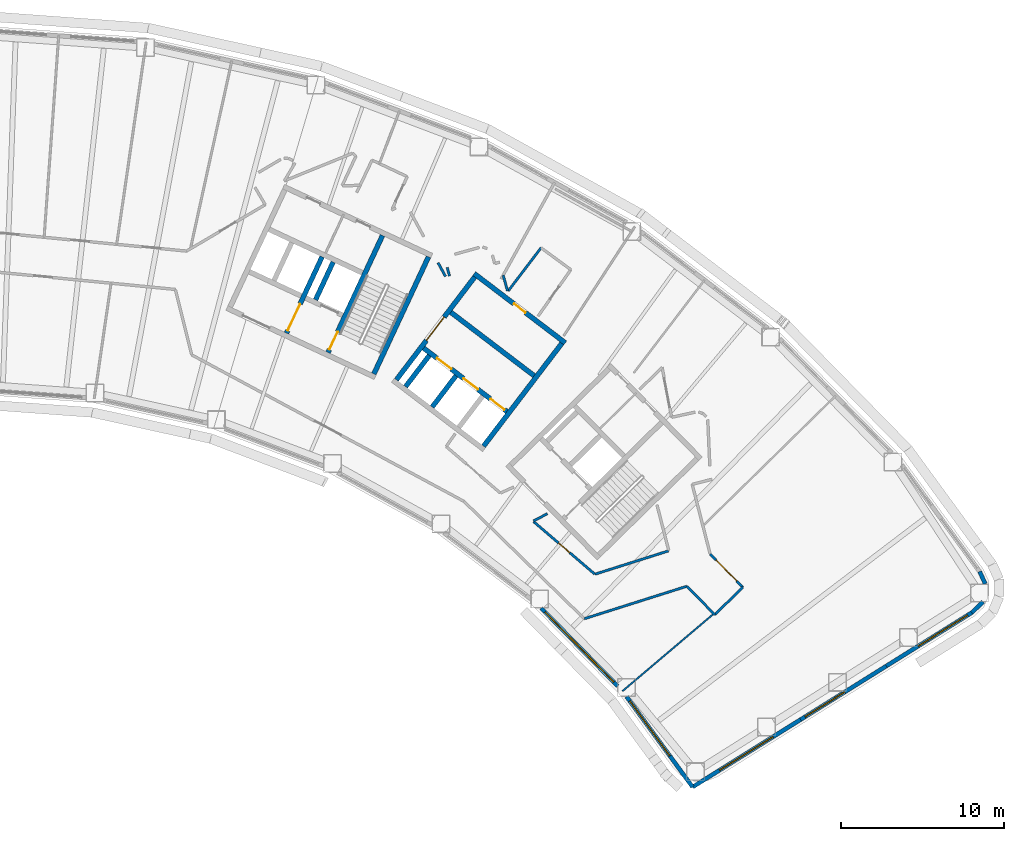
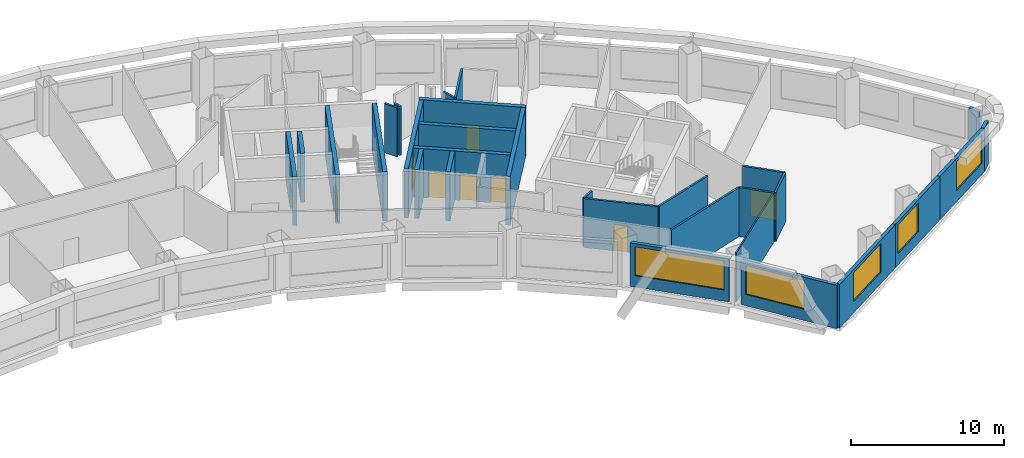
# One storey, part 6 of 11: 30 walls, 9 doors, 5 windows, 14 openings.
"""IFC4 building model written with IfcOpenShell, lengths in metres."""

from ifc_helpers import new_model, si_unit, direction, frame, frame_2d, origin, place, context, subcontext, project, spatial, rectangle, extrude, material, layer, layer_set, type_object, element, fill, save


model = new_model("IFC4")

# Units and contexts
model_context = context("Model", 3, precision=1e-05, world=origin(), true_north=direction((0.0, 1.0)))
body_context = subcontext(model_context, "Body", "Model", "MODEL_VIEW")
ifc_project = project(units=[si_unit("LENGTHUNIT", "METRE"), si_unit("AREAUNIT", "SQUARE_METRE"), si_unit("VOLUMEUNIT", "CUBIC_METRE"), si_unit("PLANEANGLEUNIT", "RADIAN"), si_unit("MASSUNIT", "GRAM", prefix="KILO")], contexts=[model_context])

# Site, building, storey
site_placement = place(None, origin())
site = spatial("IfcSite", under=ifc_project, at=site_placement, CompositionType="ELEMENT")
building_placement = place(site_placement, origin())
building = spatial("IfcBuilding", under=site, at=building_placement, Name="Tuul Gate Civic Tower", CompositionType="ELEMENT")
storey_placement = place(building_placement, frame((0.0, 0.0, 120.300048828125)))
storey = spatial("IfcBuildingStorey", under=building, at=storey_placement, Name="Level 27", CompositionType="ELEMENT", Elevation=120.300048828125)

# Wall
ifc_material_1 = material(Name="Concrete C50/60", Category="concrete")
ifc_layer_1 = layer(ifc_material_1, 0.300048828125)
ifc_layer_set_1 = layer_set([ifc_layer_1], Name="Concrete C50/60")
wall_type_1 = type_object("IfcWallType", Name="Core wall C50/60", PredefinedType="SHEAR", material=ifc_layer_set_1)
wall_1_placement = place(storey_placement, frame((34.455810546875, -7.05078125, 0.0), z_axis=(0.0, 0.0, 1.0), x_axis=(0.422570768258, 0.906329932096, 0.0)))
element("IfcWall", 1, at=wall_1_placement, inside=storey, type_object=wall_type_1, Name="Core wall", PredefinedType="SHEAR", context=body_context, shape_type="SweptSolid", body=[
    extrude(rectangle(XDim=7.900146484375, YDim=0.300048828125, at=frame_2d((3.9501953125, 0.0))), origin(), (0.0, 0.0, 1.0), 3.89990234375),
])

# Wall, opening, door
wall_2_placement = place(storey_placement, frame((31.646240234375, -5.740478515625, 0.0), z_axis=(0.0, 0.0, 1.0), x_axis=(0.422582604137, 0.906324413596, 0.0)))
wall_2 = element("IfcWall", 2, at=wall_2_placement, inside=storey, type_object=wall_type_1, Name="Core wall", PredefinedType="SHEAR", context=body_context, shape_type="SweptSolid", body=[
    extrude(rectangle(XDim=7.89990234375, YDim=0.300048828125, at=frame_2d((3.949951171875, 0.0))), origin(), (0.0, 0.0, 1.0), 3.89990234375),
])
opening_1_placement = place(wall_2_placement, frame((0.199951171875, 0.0, 0.0)))
opening_1 = element("IfcOpeningElement", 3, at=opening_1_placement, cuts=wall_2, Name="Opening SD-ST-4", PredefinedType="OPENING", context=body_context, shape_type="SweptSolid", body=[
    extrude(rectangle(XDim=1.199951171875, YDim=2.10009765625, at=frame_2d((0.60009765625, 1.050048828125))), frame((0.0, 0.16015625, 0.0), z_axis=(0.0, -1.0, 0.0), x_axis=(1.0, 0.0, 0.0)), (0.0, 0.0, 1.0), 0.320068359375),
])
ifc_material_2 = material(Name="Steel", Category="steel")
door_type_1 = type_object("IfcDoorType", Name="Stair door", OperationType="NOTDEFINED", PredefinedType="DOOR", material=ifc_material_2)
door_1_placement = place(opening_1_placement, origin())
door_1 = element("IfcDoor", 4, at=door_1_placement, inside=storey, type_object=door_type_1, Name="Stair door ST-4", OperationType="SINGLE_SWING_LEFT", OverallHeight=2.10009765625, OverallWidth=1.199951171875, PredefinedType="DOOR", context=body_context, shape_type="SweptSolid", body=[
    extrude(rectangle(XDim=1.199951171875, YDim=2.10009765625, at=frame_2d((0.60009765625, 1.050048828125))), frame((0.0, 0.02490234375, 0.0), z_axis=(0.0, -1.0, 0.0), x_axis=(1.0, 0.0, 0.0)), (0.0, 0.0, 1.0), 0.050048828125),
])
fill(opening_1, door_1)

# Wall
wall_3_placement = place(storey_placement, frame((30.886962890625, -2.517822265625, 0.0), z_axis=(0.0, 0.0, 1.0), x_axis=(0.422612891016, 0.906310291427, 0.0)))
element("IfcWall", 5, at=wall_3_placement, inside=storey, type_object=wall_type_1, Name="Core wall", PredefinedType="SHEAR", context=body_context, shape_type="SweptSolid", body=[
    extrude(rectangle(XDim=2.550048828125, YDim=0.300048828125, at=frame_2d((1.27490234375, 0.0))), origin(), (0.0, 0.0, 1.0), 3.89990234375),
])

# Wall, opening, door
wall_4_placement = place(storey_placement, frame((29.108642578125, -4.557373046875, 0.0), z_axis=(0.0, 0.0, 1.0), x_axis=(0.422566235356, 0.90633204552, 0.0)))
wall_4 = element("IfcWall", 6, at=wall_4_placement, inside=storey, type_object=wall_type_1, Name="Core wall", PredefinedType="SHEAR", context=body_context, shape_type="SweptSolid", body=[
    extrude(rectangle(XDim=5.150146484375, YDim=0.300048828125, at=frame_2d((2.5751953125, 0.0))), origin(), (0.0, 0.0, 1.0), 3.89990234375),
])
opening_2_placement = place(wall_4_placement, frame((0.175048828125, 0.0, 0.0)))
opening_2 = element("IfcOpeningElement", 7, at=opening_2_placement, cuts=wall_4, Name="Opening LB-E3-FLOBBY-1", PredefinedType="OPENING", context=body_context, shape_type="SweptSolid", body=[
    extrude(rectangle(XDim=1.800048828125, YDim=2.10009765625, at=frame_2d((0.89990234375, 1.050048828125))), frame((0.0, 0.16015625, 0.0), z_axis=(0.0, -1.0, 0.0), x_axis=(1.0, 0.0, 0.0)), (0.0, 0.0, 1.0), 0.320068359375),
])
ifc_material_3 = material(Name="Steel", Category="steel")
door_type_2 = type_object("IfcDoorType", Name="Lobby door", OperationType="DOUBLE_DOOR_SINGLE_SWING", PredefinedType="DOOR", material=ifc_material_3)
door_2_placement = place(opening_2_placement, frame((1.800048828125, 0.0, 0.0), z_axis=(0.0, 0.0, 1.0), x_axis=(-1.0, 0.0, 0.0)))
door_2 = element("IfcDoor", 8, at=door_2_placement, inside=storey, type_object=door_type_2, Name="Lobby door E3-FLOBBY", OperationType="DOUBLE_DOOR_SINGLE_SWING", OverallHeight=2.10009765625, OverallWidth=1.800048828125, PredefinedType="DOOR", context=body_context, shape_type="SweptSolid", body=[
    extrude(rectangle(XDim=1.800048828125, YDim=2.10009765625, at=frame_2d((0.900146484375, 1.050048828125))), frame((0.0, 0.02490234375, 0.0), z_axis=(0.0, -1.0, 0.0), x_axis=(1.0, 0.0, 0.0)), (0.0, 0.0, 1.0), 0.050048828125),
])
fill(opening_2, door_2)

# Walls
ifc_material_4 = material(Name="Gypsum board partition")
ifc_layer_2 = layer(ifc_material_4, 0.14990234375)
ifc_layer_set_2 = layer_set([ifc_layer_2], Name="Gypsum board partition")
wall_type_2 = type_object("IfcWallType", Name="Corridor wall P150", PredefinedType="PARTITIONING", material=ifc_layer_set_2)
wall_5_placement = place(storey_placement, frame((53.606689453125, -20.04541015625, 0.0), z_axis=(0.0, 0.0, 1.0), x_axis=(0.700029162703, -0.71411425652, 0.0)))
element("IfcWall", 9, at=wall_5_placement, inside=storey, type_object=wall_type_2, Name="p003", PredefinedType="PARTITIONING", context=body_context, shape_type="SweptSolid", body=[
    extrude(rectangle(XDim=2.4267578125, YDim=0.14990234375, at=frame_2d((1.21337890625, 0.0))), origin(), (0.0, 0.0, 1.0), 3.89990234375),
])
wall_6_placement = place(storey_placement, frame((55.305419921875, -21.7783203125, 0.0), z_axis=(0.0, 0.0, 1.0), x_axis=(0.714090786391, 0.700053104265, 0.0)))
element("IfcWall", 10, at=wall_6_placement, inside=storey, type_object=wall_type_2, Name="p004", PredefinedType="PARTITIONING", context=body_context, shape_type="SweptSolid", body=[
    extrude(rectangle(XDim=2.400146484375, YDim=0.14990234375, at=frame_2d((1.2001953125, 0.0))), origin(), (0.0, 0.0, 1.0), 3.89990234375),
])

# Wall, opening, door
wall_7_placement = place(storey_placement, frame((55.021484375, -18.059326171875, 0.0), z_axis=(0.0, 0.0, 1.0), x_axis=(0.699885825208, -0.714254738642, 0.0)))
wall_7 = element("IfcWall", 11, at=wall_7_placement, inside=storey, type_object=wall_type_2, Name="p005", PredefinedType="PARTITIONING", context=body_context, shape_type="SweptSolid", body=[
    extrude(rectangle(XDim=2.8544921875, YDim=0.14990234375, at=frame_2d((1.42724609375, 0.0))), origin(), (0.0, 0.0, 1.0), 3.89990234375),
])
opening_3_placement = place(wall_7_placement, frame((0.52734375, 0.0, 0.0)))
opening_3 = element("IfcOpeningElement", 12, at=opening_3_placement, cuts=wall_7, Name="Opening I-D01", PredefinedType="OPENING", context=body_context, shape_type="SweptSolid", body=[
    extrude(rectangle(XDim=1.800048828125, YDim=2.10009765625, at=frame_2d((0.89990234375, 1.050048828125))), frame((0.0, 0.0849609375, 0.0), z_axis=(0.0, -1.0, 0.0), x_axis=(1.0, 0.0, 0.0)), (0.0, 0.0, 1.0), 0.169921875),
])
ifc_material_5 = material(Name="Timber door leaf, double", Category="wood")
door_type_3 = type_object("IfcDoorType", Name="Door D18", OperationType="DOUBLE_DOOR_SINGLE_SWING", PredefinedType="DOOR", material=ifc_material_5)
door_3_placement = place(opening_3_placement, origin())
door_3 = element("IfcDoor", 13, at=door_3_placement, inside=storey, type_object=door_type_3, Name="Door I-D01", OperationType="DOUBLE_DOOR_SINGLE_SWING", OverallHeight=2.10009765625, OverallWidth=1.800048828125, PredefinedType="DOOR", context=body_context, shape_type="SweptSolid", body=[
    extrude(rectangle(XDim=1.800048828125, YDim=2.10009765625, at=frame_2d((0.89990234375, 1.050048828125))), frame((0.0, 0.02490234375, 0.0), z_axis=(0.0, -1.0, 0.0), x_axis=(1.0, 0.0, 0.0)), (0.0, 0.0, 1.0), 0.050048828125),
])
fill(opening_3, door_3)

wall_8_placement = place(storey_placement, frame((44.21533203125, -16.0771484375, 0.0), z_axis=(0.0, 0.0, 1.0), x_axis=(0.75864895936, -0.65149962123, 0.0)))
wall_8 = element("IfcWall", 14, at=wall_8_placement, inside=storey, type_object=wall_type_2, Name="p017", PredefinedType="PARTITIONING", context=body_context, shape_type="SweptSolid", body=[
    extrude(rectangle(XDim=4.9375, YDim=0.14990234375, at=frame_2d((2.46875, 0.0))), origin(), (0.0, 0.0, 1.0), 3.89990234375),
])
opening_4_placement = place(wall_8_placement, frame((2.018798828125, 0.0, 0.0)))
opening_4 = element("IfcOpeningElement", 15, at=opening_4_placement, cuts=wall_8, Name="Opening I-D23", PredefinedType="OPENING", context=body_context, shape_type="SweptSolid", body=[
    extrude(rectangle(XDim=0.89990234375, YDim=2.10009765625, at=frame_2d((0.449951171875, 1.050048828125))), frame((0.0, 0.0849609375, 0.0), z_axis=(0.0, -1.0, 0.0), x_axis=(1.0, 0.0, 0.0)), (0.0, 0.0, 1.0), 0.169921875),
])
ifc_material_6 = material(Name="Timber door leaf", Category="wood")
door_type_4 = type_object("IfcDoorType", Name="Door D09", OperationType="NOTDEFINED", PredefinedType="DOOR", material=ifc_material_6)
door_4_placement = place(opening_4_placement, origin())
door_4 = element("IfcDoor", 16, at=door_4_placement, inside=storey, type_object=door_type_4, Name="Door I-D23", OperationType="SINGLE_SWING_RIGHT", OverallHeight=2.10009765625, OverallWidth=0.89990234375, PredefinedType="DOOR", context=body_context, shape_type="SweptSolid", body=[
    extrude(rectangle(XDim=0.89990234375, YDim=2.10009765625, at=frame_2d((0.449951171875, 1.050048828125))), frame((0.0, 0.02490234375, 0.0), z_axis=(0.0, -1.0, 0.0), x_axis=(1.0, 0.0, 0.0)), (0.0, 0.0, 1.0), 0.050048828125),
])
fill(opening_4, door_4)

# Walls
wall_9_placement = place(storey_placement, frame((42.66455078125, -1.984619140625, 0.0), z_axis=(0.0, 0.0, 1.0), x_axis=(0.605660350515, 0.79572328093, 0.0)))
element("IfcWall", 17, at=wall_9_placement, inside=storey, type_object=wall_type_2, Name="p023", PredefinedType="PARTITIONING", context=body_context, shape_type="SweptSolid", body=[
    extrude(rectangle(XDim=3.324462890625, YDim=0.14990234375, at=frame_2d((1.662109375, 0.0))), origin(), (0.0, 0.0, 1.0), 3.89990234375),
])
wall_10_placement = place(storey_placement, frame((42.362548828125, -1.014404296875, 0.0), z_axis=(0.0, 0.0, 1.0), x_axis=(0.266484672947, -0.963839156231, 0.0)))
element("IfcWall", 18, at=wall_10_placement, inside=storey, type_object=wall_type_2, Name="p024", PredefinedType="PARTITIONING", context=body_context, shape_type="SweptSolid", body=[
    extrude(rectangle(XDim=0.99951171875, YDim=0.14990234375, at=frame_2d((0.499755859375, 0.0))), origin(), (0.0, 0.0, 1.0), 3.89990234375),
])
wall_11_placement = place(storey_placement, frame((38.9365234375, -0.538818359375, 0.0), z_axis=(0.0, 0.0, 1.0), x_axis=(0.267135251861, -0.963659046143, 0.0)))
element("IfcWall", 19, at=wall_11_placement, inside=storey, type_object=wall_type_2, Name="p031", PredefinedType="PARTITIONING", context=body_context, shape_type="SweptSolid", body=[
    extrude(rectangle(XDim=0.544677734375, YDim=0.14990234375, at=frame_2d((0.2724609375, 0.0))), origin(), (0.0, 0.0, 1.0), 3.89990234375),
])
wall_12_placement = place(storey_placement, frame((38.376708984375, -0.247314453125, 0.0), z_axis=(0.0, 0.0, 1.0), x_axis=(0.479100234814, -0.877760197891, 0.0)))
element("IfcWall", 20, at=wall_12_placement, inside=storey, type_object=wall_type_2, Name="p033", PredefinedType="PARTITIONING", context=body_context, shape_type="SweptSolid", body=[
    extrude(rectangle(XDim=0.965087890625, YDim=0.14990234375, at=frame_2d((0.482421875, 0.0))), origin(), (0.0, 0.0, 1.0), 3.89990234375),
])
wall_13_placement = place(storey_placement, frame((47.32373046875, -22.02490234375, 0.0), z_axis=(0.0, 0.0, 1.0), x_axis=(0.953300538837, 0.30202331475, 0.0)))
element("IfcWall", 21, at=wall_13_placement, inside=storey, type_object=wall_type_2, Name="p081", PredefinedType="PARTITIONING", context=body_context, shape_type="SweptSolid", body=[
    extrude(rectangle(XDim=6.5751953125, YDim=0.14990234375, at=frame_2d((3.28759765625, 0.0))), origin(), (0.0, 0.0, 1.0), 3.89990234375),
])
wall_14_placement = place(storey_placement, frame((47.981201171875, -19.298583984375, 0.0), z_axis=(0.0, 0.0, 1.0), x_axis=(0.953261936145, 0.302145132507, 0.0)))
element("IfcWall", 22, at=wall_14_placement, inside=storey, type_object=wall_type_2, Name="p086", PredefinedType="PARTITIONING", context=body_context, shape_type="SweptSolid", body=[
    extrude(rectangle(XDim=4.713134765625, YDim=0.14990234375, at=frame_2d((2.3564453125, 0.0))), origin(), (0.0, 0.0, 1.0), 3.89990234375),
])
wall_15_placement = place(storey_placement, frame((44.218505859375, -16.0439453125, 0.0), z_axis=(0.0, 0.0, 1.0), x_axis=(0.88566723658, 0.464320520814, 0.0)))
element("IfcWall", 23, at=wall_15_placement, inside=storey, type_object=wall_type_2, Name="p087", PredefinedType="PARTITIONING", context=body_context, shape_type="SweptSolid", body=[
    extrude(rectangle(XDim=0.960205078125, YDim=0.14990234375, at=frame_2d((0.47998046875, 0.0))), origin(), (0.0, 0.0, 1.0), 3.89990234375),
])
ifc_material_7 = material(Name="Precast concrete C40/50", Category="concrete")
ifc_layer_3 = layer(ifc_material_7, 0.25)
ifc_layer_set_3 = layer_set([ifc_layer_3], Name="Precast concrete C40/50")
wall_type_3 = type_object("IfcWallType", Name="External wall", PredefinedType="STANDARD", material=ifc_layer_set_3)
wall_16_placement = place(storey_placement, frame((71.01953125, -21.65478515625, 0.0), z_axis=(0.0, 0.0, 1.0), x_axis=(0.721494337976, 0.692420334961, 0.0)))
element("IfcWall", 24, at=wall_16_placement, inside=storey, type_object=wall_type_3, Name="External wall", PredefinedType="STANDARD", context=body_context, shape_type="SweptSolid", body=[
    extrude(rectangle(XDim=0.957275390625, YDim=0.25, at=frame_2d((0.478515625, 0.0))), origin(), (0.0, 0.0, 1.0), 3.449951171875),
])
wall_17_placement = place(storey_placement, frame((71.84765625, -19.89208984375, 0.0), z_axis=(0.0, 0.0, 1.0), x_axis=(-0.412982206982, 0.910739093658, 0.0)))
element("IfcWall", 25, at=wall_17_placement, inside=storey, type_object=wall_type_3, Name="External wall", PredefinedType="STANDARD", context=body_context, shape_type="SweptSolid", body=[
    extrude(rectangle(XDim=0.829345703125, YDim=0.25, at=frame_2d((0.41455078125, 0.0))), origin(), (0.0, 0.0, 1.0), 3.449951171875),
])

# Wall, opening, window
wall_18_placement = place(storey_placement, frame((44.679931640625, -21.366943359375, 0.0), z_axis=(0.0, 0.0, 1.0), x_axis=(0.700023947057, -0.714119369256, 0.0)))
wall_18 = element("IfcWall", 26, at=wall_18_placement, inside=storey, type_object=wall_type_3, Name="External wall", PredefinedType="STANDARD", context=body_context, shape_type="SweptSolid", body=[
    extrude(rectangle(XDim=6.685791015625, YDim=0.25, at=frame_2d((3.3427734375, 0.0))), origin(), (0.0, 0.0, 1.0), 3.449951171875),
])
opening_5_placement = place(wall_18_placement, frame((0.343994140625, 0.0, 0.89990234375)))
opening_5 = element("IfcOpeningElement", 27, at=opening_5_placement, cuts=wall_18, Name="Opening W26", PredefinedType="OPENING", context=body_context, shape_type="SweptSolid", body=[
    extrude(rectangle(XDim=6.0, YDim=2.300048828125, at=frame_2d((3.0, 1.14990234375))), frame((0.0, 0.135009765625, 0.0), z_axis=(0.0, -1.0, 0.0), x_axis=(1.0, 0.0, 0.0)), (0.0, 0.0, 1.0), 0.27001953125),
])
ifc_material_8 = material(Name="Glass", Category="glass")
window_type_1 = type_object("IfcWindowType", Name="Window W26 6000 x 2300", PartitioningType="SINGLE_PANEL", PredefinedType="WINDOW", material=ifc_material_8)
window_1_placement = place(opening_5_placement, origin())
window_1 = element("IfcWindow", 28, at=window_1_placement, inside=storey, type_object=window_type_1, Name="Window", OverallHeight=2.300048828125, OverallWidth=6.0, PartitioningType="SINGLE_PANEL", PredefinedType="WINDOW", context=body_context, shape_type="SweptSolid", body=[
    extrude(rectangle(XDim=6.0, YDim=2.300048828125, at=frame_2d((3.0, 1.14990234375))), frame((0.0, 0.030029296875, 0.0), z_axis=(0.0, -1.0, 0.0), x_axis=(1.0, 0.0, 0.0)), (0.0, 0.0, 1.0), 0.06005859375),
])
fill(opening_5, window_1)

wall_19_placement = place(storey_placement, frame((49.9091796875, -26.7880859375, 0.0), z_axis=(0.0, 0.0, 1.0), x_axis=(0.589741263703, -0.807592249769, 0.0)))
wall_19 = element("IfcWall", 29, at=wall_19_placement, inside=storey, type_object=wall_type_3, Name="External wall", PredefinedType="STANDARD", context=body_context, shape_type="SweptSolid", body=[
    extrude(rectangle(XDim=6.848388671875, YDim=0.25, at=frame_2d((3.42431640625, 0.0))), origin(), (0.0, 0.0, 1.0), 3.449951171875),
])
opening_6_placement = place(wall_19_placement, frame((0.341796875, 0.0, 0.89990234375)))
opening_6 = element("IfcOpeningElement", 30, at=opening_6_placement, cuts=wall_19, Name="Opening W25", PredefinedType="OPENING", context=body_context, shape_type="SweptSolid", body=[
    extrude(rectangle(XDim=4.14990234375, YDim=2.300048828125, at=frame_2d((2.074951171875, 1.14990234375))), frame((0.0, 0.135009765625, 0.0), z_axis=(0.0, -1.0, 0.0), x_axis=(1.0, 0.0, 0.0)), (0.0, 0.0, 1.0), 0.27001953125),
])
ifc_material_9 = material(Name="Glass", Category="glass")
window_type_2 = type_object("IfcWindowType", Name="Window W25 4150 x 2300", PartitioningType="SINGLE_PANEL", PredefinedType="WINDOW", material=ifc_material_9)
window_2_placement = place(opening_6_placement, origin())
window_2 = element("IfcWindow", 31, at=window_2_placement, inside=storey, type_object=window_type_2, Name="Window", OverallHeight=2.300048828125, OverallWidth=4.14990234375, PartitioningType="SINGLE_PANEL", PredefinedType="WINDOW", context=body_context, shape_type="SweptSolid", body=[
    extrude(rectangle(XDim=4.14990234375, YDim=2.300048828125, at=frame_2d((2.074951171875, 1.14990234375))), frame((0.0, 0.030029296875, 0.0), z_axis=(0.0, -1.0, 0.0), x_axis=(1.0, 0.0, 0.0)), (0.0, 0.0, 1.0), 0.06005859375),
])
fill(opening_6, window_2)

wall_20_placement = place(storey_placement, frame((53.947998046875, -32.31884765625, 0.0), z_axis=(0.0, 0.0, 1.0), x_axis=(0.848051131154, 0.529914407191, 0.0)))
wall_20 = element("IfcWall", 32, at=wall_20_placement, inside=storey, type_object=wall_type_3, Name="External wall", PredefinedType="STANDARD", context=body_context, shape_type="SweptSolid", body=[
    extrude(rectangle(XDim=7.788330078125, YDim=0.25, at=frame_2d((3.89404296875, 0.0))), origin(), (0.0, 0.0, 1.0), 3.449951171875),
])
opening_7_placement = place(wall_20_placement, frame((1.944091796875, 0.0, 0.89990234375)))
opening_7 = element("IfcOpeningElement", 33, at=opening_7_placement, cuts=wall_20, Name="Opening W22", PredefinedType="OPENING", context=body_context, shape_type="SweptSolid", body=[
    extrude(rectangle(XDim=3.85009765625, YDim=2.300048828125, at=frame_2d((1.925048828125, 1.14990234375))), frame((0.0, 0.135009765625, 0.0), z_axis=(0.0, -1.0, 0.0), x_axis=(1.0, 0.0, 0.0)), (0.0, 0.0, 1.0), 0.27001953125),
])
ifc_material_10 = material(Name="Glass", Category="glass")
window_type_3 = type_object("IfcWindowType", Name="Window W22 3850 x 2300", PartitioningType="SINGLE_PANEL", PredefinedType="WINDOW", material=ifc_material_10)
window_3_placement = place(opening_7_placement, origin())
window_3 = element("IfcWindow", 34, at=window_3_placement, inside=storey, type_object=window_type_3, Name="Window", OverallHeight=2.300048828125, OverallWidth=3.85009765625, PartitioningType="SINGLE_PANEL", PredefinedType="WINDOW", context=body_context, shape_type="SweptSolid", body=[
    extrude(rectangle(XDim=3.85009765625, YDim=2.300048828125, at=frame_2d((1.925048828125, 1.14990234375))), frame((0.0, 0.030029296875, 0.0), z_axis=(0.0, -1.0, 0.0), x_axis=(1.0, 0.0, 0.0)), (0.0, 0.0, 1.0), 0.06005859375),
])
fill(opening_7, window_3)

wall_21_placement = place(storey_placement, frame((60.552978515625, -28.191650390625, 0.0), z_axis=(0.0, 0.0, 1.0), x_axis=(0.848053758074, 0.529910203164, 0.0)))
wall_21 = element("IfcWall", 35, at=wall_21_placement, inside=storey, type_object=wall_type_3, Name="External wall", PredefinedType="STANDARD", context=body_context, shape_type="SweptSolid", body=[
    extrude(rectangle(XDim=6.182861328125, YDim=0.25, at=frame_2d((3.09130859375, 0.0))), origin(), (0.0, 0.0, 1.0), 3.449951171875),
])
opening_8_placement = place(wall_21_placement, frame((0.326904296875, 0.0, 0.89990234375)))
opening_8 = element("IfcOpeningElement", 36, at=opening_8_placement, cuts=wall_21, Name="Opening W68", PredefinedType="OPENING", context=body_context, shape_type="SweptSolid", body=[
    extrude(rectangle(XDim=2.85009765625, YDim=2.300048828125, at=frame_2d((1.425048828125, 1.14990234375))), frame((0.0, 0.135009765625, 0.0), z_axis=(0.0, -1.0, 0.0), x_axis=(1.0, 0.0, 0.0)), (0.0, 0.0, 1.0), 0.27001953125),
])
ifc_material_11 = material(Name="Glass", Category="glass")
window_type_4 = type_object("IfcWindowType", Name="Window 2850 x 2300", PartitioningType="SINGLE_PANEL", PredefinedType="WINDOW", material=ifc_material_11)
window_4_placement = place(opening_8_placement, origin())
window_4 = element("IfcWindow", 37, at=window_4_placement, inside=storey, type_object=window_type_4, Name="Window", OverallHeight=2.300048828125, OverallWidth=2.85009765625, PartitioningType="SINGLE_PANEL", PredefinedType="WINDOW", context=body_context, shape_type="SweptSolid", body=[
    extrude(rectangle(XDim=2.85009765625, YDim=2.300048828125, at=frame_2d((1.425048828125, 1.14990234375))), frame((0.0, 0.030029296875, 0.0), z_axis=(0.0, -1.0, 0.0), x_axis=(1.0, 0.0, 0.0)), (0.0, 0.0, 1.0), 0.06005859375),
])
fill(opening_8, window_4)

wall_22_placement = place(storey_placement, frame((65.79638671875, -24.915283203125, 0.0), z_axis=(0.0, 0.0, 1.0), x_axis=(0.848053758074, 0.529910203164, 0.0)))
wall_22 = element("IfcWall", 38, at=wall_22_placement, inside=storey, type_object=wall_type_3, Name="External wall", PredefinedType="STANDARD", context=body_context, shape_type="SweptSolid", body=[
    extrude(rectangle(XDim=6.182861328125, YDim=0.25, at=frame_2d((3.09130859375, 0.0))), origin(), (0.0, 0.0, 1.0), 3.449951171875),
])
opening_9_placement = place(wall_22_placement, frame((2.30908203125, 0.0, 0.89990234375)))
opening_9 = element("IfcOpeningElement", 39, at=opening_9_placement, cuts=wall_22, Name="Opening W112", PredefinedType="OPENING", context=body_context, shape_type="SweptSolid", body=[
    extrude(rectangle(XDim=3.550048828125, YDim=2.300048828125, at=frame_2d((1.77490234375, 1.14990234375))), frame((0.0, 0.135009765625, 0.0), z_axis=(0.0, -1.0, 0.0), x_axis=(1.0, 0.0, 0.0)), (0.0, 0.0, 1.0), 0.27001953125),
])
ifc_material_12 = material(Name="Glass", Category="glass")
window_type_5 = type_object("IfcWindowType", Name="Window W112 3550 x 2300", PartitioningType="SINGLE_PANEL", PredefinedType="WINDOW", material=ifc_material_12)
window_5_placement = place(opening_9_placement, origin())
window_5 = element("IfcWindow", 40, at=window_5_placement, inside=storey, type_object=window_type_5, Name="Window", OverallHeight=2.300048828125, OverallWidth=3.550048828125, PartitioningType="SINGLE_PANEL", PredefinedType="WINDOW", context=body_context, shape_type="SweptSolid", body=[
    extrude(rectangle(XDim=3.550048828125, YDim=2.300048828125, at=frame_2d((1.77490234375, 1.14990234375))), frame((0.0, 0.030029296875, 0.0), z_axis=(0.0, -1.0, 0.0), x_axis=(1.0, 0.0, 0.0)), (0.0, 0.0, 1.0), 0.06005859375),
])
fill(opening_9, window_5)

# Wall, openings, doors
ifc_material_13 = material(Name="Concrete C40/50", Category="concrete")
ifc_layer_4 = layer(ifc_material_13, 0.300048828125)
ifc_layer_set_4 = layer_set([ifc_layer_4], Name="Concrete C40/50")
wall_type_4 = type_object("IfcWallType", Name="Lift shaft wall C40/50", PredefinedType="STANDARD", material=ifc_layer_set_4)
wall_23_placement = place(storey_placement, frame((42.5888671875, -9.34765625, 0.0), z_axis=(0.0, 0.0, 1.0), x_axis=(-0.795584062101, 0.605843214149, 0.0)))
wall_23 = element("IfcWall", 41, at=wall_23_placement, inside=storey, type_object=wall_type_4, Name="Shaft wall", PredefinedType="STANDARD", context=body_context, shape_type="SweptSolid", body=[
    extrude(rectangle(XDim=6.400146484375, YDim=0.300048828125, at=frame_2d((3.2001953125, 0.0))), origin(), (0.0, 0.0, 1.0), 3.89990234375),
])
opening_10_placement = place(wall_23_placement, frame((0.175048828125, 0.0, 0.0)))
opening_10 = element("IfcOpeningElement", 42, at=opening_10_placement, cuts=wall_23, Name="Opening LD-L1", PredefinedType="OPENING", context=body_context, shape_type="SweptSolid", body=[
    extrude(rectangle(XDim=1.10009765625, YDim=2.10009765625, at=frame_2d((0.550048828125, 1.050048828125))), frame((0.0, 0.16015625, 0.0), z_axis=(0.0, -1.0, 0.0), x_axis=(1.0, 0.0, 0.0)), (0.0, 0.0, 1.0), 0.320068359375),
])
opening_11_placement = place(wall_23_placement, frame((2.22509765625, 0.0, 0.0)))
opening_11 = element("IfcOpeningElement", 43, at=opening_11_placement, cuts=wall_23, Name="Opening LD-L2", PredefinedType="OPENING", context=body_context, shape_type="SweptSolid", body=[
    extrude(rectangle(XDim=1.10009765625, YDim=2.10009765625, at=frame_2d((0.550048828125, 1.050048828125))), frame((0.0, 0.16015625, 0.0), z_axis=(0.0, -1.0, 0.0), x_axis=(1.0, 0.0, 0.0)), (0.0, 0.0, 1.0), 0.320068359375),
])
opening_12_placement = place(wall_23_placement, frame((4.27490234375, 0.0, 0.0)))
opening_12 = element("IfcOpeningElement", 44, at=opening_12_placement, cuts=wall_23, Name="Opening LD-L3", PredefinedType="OPENING", context=body_context, shape_type="SweptSolid", body=[
    extrude(rectangle(XDim=1.10009765625, YDim=2.10009765625, at=frame_2d((0.550048828125, 1.050048828125))), frame((0.0, 0.16015625, 0.0), z_axis=(0.0, -1.0, 0.0), x_axis=(1.0, 0.0, 0.0)), (0.0, 0.0, 1.0), 0.320068359375),
])
ifc_material_14 = material(Name="Stainless steel", Category="steel")
door_type_5 = type_object("IfcDoorType", Name="Landing door", OperationType="DOUBLE_DOOR_SLIDING", PredefinedType="DOOR", material=ifc_material_14)
door_5_placement = place(opening_10_placement, origin())
door_5 = element("IfcDoor", 45, at=door_5_placement, inside=storey, type_object=door_type_5, Name="Low-rise lift L1 landing door", OperationType="DOUBLE_DOOR_SLIDING", OverallHeight=2.10009765625, OverallWidth=1.10009765625, PredefinedType="DOOR", context=body_context, shape_type="SweptSolid", body=[
    extrude(rectangle(XDim=1.10009765625, YDim=2.10009765625, at=frame_2d((0.550048828125, 1.050048828125))), frame((0.0, 0.02490234375, 0.0), z_axis=(0.0, -1.0, 0.0), x_axis=(1.0, 0.0, 0.0)), (0.0, 0.0, 1.0), 0.050048828125),
])
fill(opening_10, door_5)
door_6_placement = place(opening_11_placement, origin())
door_6 = element("IfcDoor", 46, at=door_6_placement, inside=storey, type_object=door_type_5, Name="Low-rise lift L2 landing door", OperationType="DOUBLE_DOOR_SLIDING", OverallHeight=2.10009765625, OverallWidth=1.10009765625, PredefinedType="DOOR", context=body_context, shape_type="SweptSolid", body=[
    extrude(rectangle(XDim=1.10009765625, YDim=2.10009765625, at=frame_2d((0.550048828125, 1.050048828125))), frame((0.0, 0.02490234375, 0.0), z_axis=(0.0, -1.0, 0.0), x_axis=(1.0, 0.0, 0.0)), (0.0, 0.0, 1.0), 0.050048828125),
])
fill(opening_11, door_6)
door_7_placement = place(opening_12_placement, origin())
door_7 = element("IfcDoor", 47, at=door_7_placement, inside=storey, type_object=door_type_5, Name="Low-rise lift L3 landing door", OperationType="DOUBLE_DOOR_SLIDING", OverallHeight=2.10009765625, OverallWidth=1.10009765625, PredefinedType="DOOR", context=body_context, shape_type="SweptSolid", body=[
    extrude(rectangle(XDim=1.10009765625, YDim=2.10009765625, at=frame_2d((0.550048828125, 1.050048828125))), frame((0.0, 0.02490234375, 0.0), z_axis=(0.0, -1.0, 0.0), x_axis=(1.0, 0.0, 0.0)), (0.0, 0.0, 1.0), 0.050048828125),
])
fill(opening_12, door_7)

# Wall
wall_24_placement = place(storey_placement, frame((44.254638671875, -7.15966796875, 0.0), z_axis=(0.0, 0.0, 1.0), x_axis=(-0.795565675562, 0.605867358312, 0.0)))
element("IfcWall", 48, at=wall_24_placement, inside=storey, type_object=wall_type_4, Name="Shaft wall", PredefinedType="STANDARD", context=body_context, shape_type="SweptSolid", body=[
    extrude(rectangle(XDim=6.400146484375, YDim=0.300048828125, at=frame_2d((3.2001953125, 0.0))), origin(), (0.0, 0.0, 1.0), 3.89990234375),
])

# Wall, opening, door
wall_25_placement = place(storey_placement, frame((46.1591796875, -5.1533203125, 0.0), z_axis=(0.0, 0.0, 1.0), x_axis=(-0.795579811045, 0.605848796531, 0.0)))
wall_25 = element("IfcWall", 49, at=wall_25_placement, inside=storey, type_object=wall_type_4, Name="Shaft wall", PredefinedType="STANDARD", context=body_context, shape_type="SweptSolid", body=[
    extrude(rectangle(XDim=7.0, YDim=0.300048828125, at=frame_2d((3.5, 0.0))), origin(), (0.0, 0.0, 1.0), 3.89990234375),
])
opening_13_placement = place(wall_25_placement, frame((3.050048828125, 0.0, 0.0)))
opening_13 = element("IfcOpeningElement", 50, at=opening_13_placement, cuts=wall_25, Name="Opening I-D27", PredefinedType="OPENING", context=body_context, shape_type="SweptSolid", body=[
    extrude(rectangle(XDim=0.89990234375, YDim=2.10009765625, at=frame_2d((0.449951171875, 1.050048828125))), frame((0.0, 0.16015625, 0.0), z_axis=(0.0, -1.0, 0.0), x_axis=(1.0, 0.0, 0.0)), (0.0, 0.0, 1.0), 0.320068359375),
])
door_8_placement = place(opening_13_placement, origin())
door_8 = element("IfcDoor", 51, at=door_8_placement, inside=storey, type_object=door_type_4, Name="Door I-D27", OperationType="SINGLE_SWING_LEFT", OverallHeight=2.10009765625, OverallWidth=0.89990234375, PredefinedType="DOOR", context=body_context, shape_type="SweptSolid", body=[
    extrude(rectangle(XDim=0.89990234375, YDim=2.10009765625, at=frame_2d((0.449951171875, 1.050048828125))), frame((0.0, 0.02490234375, 0.0), z_axis=(0.0, -1.0, 0.0), x_axis=(1.0, 0.0, 0.0)), (0.0, 0.0, 1.0), 0.050048828125),
])
fill(opening_13, door_8)

# Walls
wall_26_placement = place(storey_placement, frame((41.163330078125, -11.46728515625, 0.0), z_axis=(0.0, 0.0, 1.0), x_axis=(0.605784332699, 0.795628897324, 0.0)))
element("IfcWall", 52, at=wall_26_placement, inside=storey, type_object=wall_type_4, Name="Shaft wall", PredefinedType="STANDARD", context=body_context, shape_type="SweptSolid", body=[
    extrude(rectangle(XDim=7.89990234375, YDim=0.300048828125, at=frame_2d((3.949951171875, 0.0))), origin(), (0.0, 0.0, 1.0), 3.89990234375),
])
wall_27_placement = place(storey_placement, frame((38.02099609375, -9.07421875, 0.0), z_axis=(0.0, 0.0, 1.0), x_axis=(0.605730519254, 0.795669867498, 0.0)))
element("IfcWall", 53, at=wall_27_placement, inside=storey, type_object=wall_type_4, Name="Shaft wall", PredefinedType="STANDARD", context=body_context, shape_type="SweptSolid", body=[
    extrude(rectangle(XDim=2.399658203125, YDim=0.300048828125, at=frame_2d((1.19970703125, 0.0))), origin(), (0.0, 0.0, 1.0), 3.89990234375),
])
wall_28_placement = place(storey_placement, frame((36.389892578125, -7.832275390625, 0.0), z_axis=(0.0, 0.0, 1.0), x_axis=(0.605745892068, 0.79565816419, 0.0)))
element("IfcWall", 54, at=wall_28_placement, inside=storey, type_object=wall_type_4, Name="Shaft wall", PredefinedType="STANDARD", context=body_context, shape_type="SweptSolid", body=[
    extrude(rectangle(XDim=2.400146484375, YDim=0.300048828125, at=frame_2d((1.2001953125, 0.0))), origin(), (0.0, 0.0, 1.0), 3.89990234375),
])

# Wall, opening, door
wall_29_placement = place(storey_placement, frame((35.8330078125, -7.408203125, 0.0), z_axis=(0.0, 0.0, 1.0), x_axis=(0.605769437763, 0.795640237967, 0.0)))
wall_29 = element("IfcWall", 55, at=wall_29_placement, inside=storey, type_object=wall_type_4, Name="Shaft wall", PredefinedType="STANDARD", context=body_context, shape_type="SweptSolid", body=[
    extrude(rectangle(XDim=7.900146484375, YDim=0.300048828125, at=frame_2d((3.9501953125, 0.0))), origin(), (0.0, 0.0, 1.0), 3.89990234375),
])
opening_14_placement = place(wall_29_placement, frame((3.02490234375, 0.0, 0.0)))
opening_14 = element("IfcOpeningElement", 56, at=opening_14_placement, cuts=wall_29, Name="Opening LB-E2-LOBBY-1", PredefinedType="OPENING", context=body_context, shape_type="SweptSolid", body=[
    extrude(rectangle(XDim=1.800048828125, YDim=2.10009765625, at=frame_2d((0.89990234375, 1.050048828125))), frame((0.0, 0.16015625, 0.0), z_axis=(0.0, -1.0, 0.0), x_axis=(1.0, 0.0, 0.0)), (0.0, 0.0, 1.0), 0.320068359375),
])
door_9_placement = place(opening_14_placement, frame((1.800048828125, 0.0, 0.0), z_axis=(0.0, 0.0, 1.0), x_axis=(-1.0, 0.0, 0.0)))
door_9 = element("IfcDoor", 57, at=door_9_placement, inside=storey, type_object=door_type_2, Name="Lobby door E2-LOBBY", OperationType="DOUBLE_DOOR_SINGLE_SWING", OverallHeight=2.10009765625, OverallWidth=1.800048828125, PredefinedType="DOOR", context=body_context, shape_type="SweptSolid", body=[
    extrude(rectangle(XDim=1.800048828125, YDim=2.10009765625, at=frame_2d((0.900146484375, 1.050048828125))), frame((0.0, 0.02490234375, 0.0), z_axis=(0.0, -1.0, 0.0), x_axis=(1.0, 0.0, 0.0)), (0.0, 0.0, 1.0), 0.050048828125),
])
fill(opening_14, door_9)

# Wall
ifc_material_15 = material(Name="Gypsum board partition")
ifc_layer_5 = layer(ifc_material_15, 0.10009765625)
ifc_layer_set_5 = layer_set([ifc_layer_5], Name="Gypsum board partition")
wall_type_5 = type_object("IfcWallType", Name="Partition P100", PredefinedType="PARTITIONING", material=ifc_layer_set_5)
wall_30_placement = place(storey_placement, frame((49.657470703125, -26.451904296875, 0.0), z_axis=(0.0, 0.0, 1.0), x_axis=(0.762833453099, 0.646595022276, 0.0)))
element("IfcWall", 58, at=wall_30_placement, inside=storey, type_object=wall_type_5, Name="p002", PredefinedType="PARTITIONING", context=body_context, shape_type="SweptSolid", body=[
    extrude(rectangle(XDim=7.323974609375, YDim=0.10009765625, at=frame_2d((3.662109375, 0.0))), origin(), (0.0, 0.0, 1.0), 3.89990234375),
])

save(model, "model.ifc")
